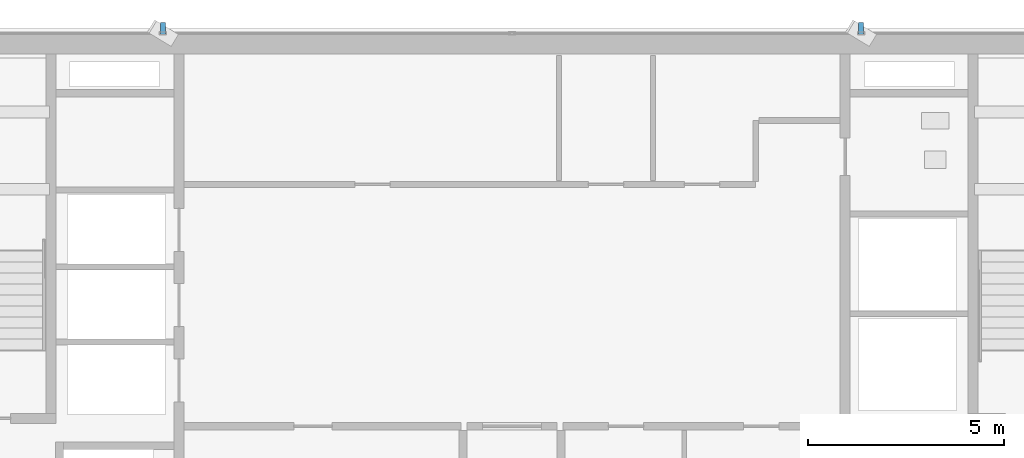
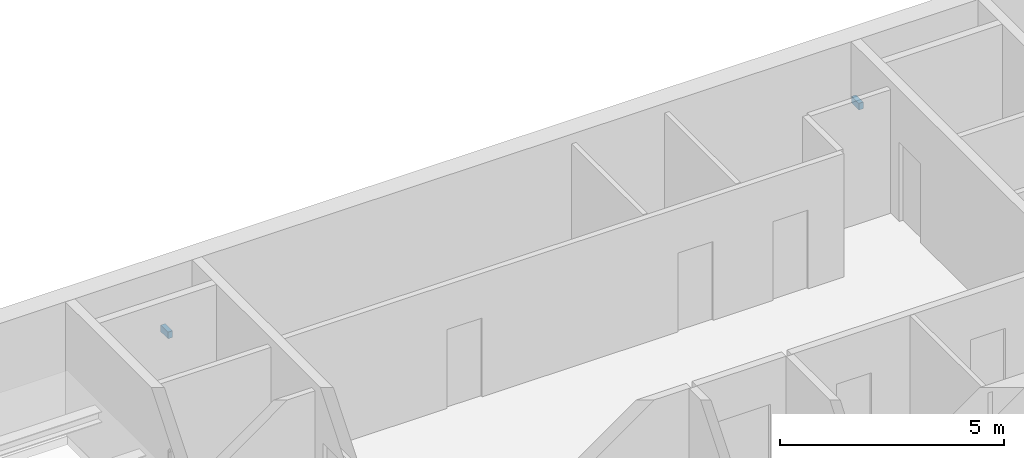
# One storey, part 17 of 22: 2 discrete accessories.
"""IFC4 building model written with IfcOpenShell, lengths in metres."""

from ifc_helpers import new_model, si_unit, direction, frame, origin, origin_2d, place, context, subcontext, project, spatial, rectangle, extrude, source, transform, mapped, material, material_profile, profile_set, type_object, element, save


model = new_model("IFC4")

# Units and contexts
model_context = context("Model", 3, precision=1e-05, world=origin(), true_north=direction((0.0, 1.0)))
body_context = subcontext(model_context, "Body", "Model", "MODEL_VIEW")
ifc_project = project(units=[si_unit("LENGTHUNIT", "METRE"), si_unit("AREAUNIT", "SQUARE_METRE"), si_unit("VOLUMEUNIT", "CUBIC_METRE"), si_unit("PLANEANGLEUNIT", "RADIAN"), si_unit("MASSUNIT", "GRAM", prefix="KILO")], contexts=[model_context])

# Site, building, storey
site_placement = place(None, origin())
site = spatial("IfcSite", under=ifc_project, at=site_placement, CompositionType="ELEMENT")
building_placement = place(site_placement, origin())
building = spatial("IfcBuilding", under=site, at=building_placement, Name="Sumidabori Civic Tower", CompositionType="ELEMENT")
storey_placement = place(building_placement, frame((0.0, 0.0, 279.199951171875)))
storey = spatial("IfcBuildingStorey", under=building, at=storey_placement, Name="L73", CompositionType="ELEMENT", Elevation=279.199951171875)

# Discrete accessories
ifc_material = material(Name="Stainless Steel Hairline Finish", Category="steel")
ifc_material_profile = material_profile(ifc_material, rectangle(XDim=0.1201171875, YDim=0.179931640625, at=origin_2d()), Name="STEEL BRACKET 180x120")
ifc_profile_set = profile_set([ifc_material_profile], Name="Stainless Steel Hairline Finish")
discrete_accessory_type = type_object("IfcDiscreteAccessoryType", Name="AC-BRK-180", PredefinedType="BRACKET", material=ifc_profile_set)
shared_shape = source(origin(), body_context, "Body", "SweptSolid", [
    extrude(rectangle(XDim=0.1201171875, YDim=0.179931640625, at=origin_2d()), origin(), (0.0, 0.0, 1.0), 0.330078125),
])
for number, where, z_axis, x_axis, name in (
    (1, (8.909912109375, 24.030029296875, 1.364990234375), (0.0, 1.0, 0.0), (-1.0, 0.0, 0.0), "Bronze Fin Fixing Bracket L73-01"),
    (2, (-8.909912109375, 24.030029296875, 1.364990234375), (0.0, 1.0, 0.0), (-1.0, 0.0, 0.0), "Bronze Fin Fixing Bracket L73-03"),
):
    element("IfcDiscreteAccessory", number, at=place(storey_placement, frame(where, z_axis=z_axis, x_axis=x_axis)), inside=storey, type_object=discrete_accessory_type, Name=name, PredefinedType="BRACKET", context=body_context, shape_type="MappedRepresentation", body=[
        mapped(shared_shape, transform((0.0, 0.0, 0.0), x_axis=(1.0, 0.0, 0.0), y_axis=(0.0, 1.0, 0.0), z_axis=(0.0, 0.0, 1.0), scale=1.0)),
    ])

save(model, "model.ifc")
